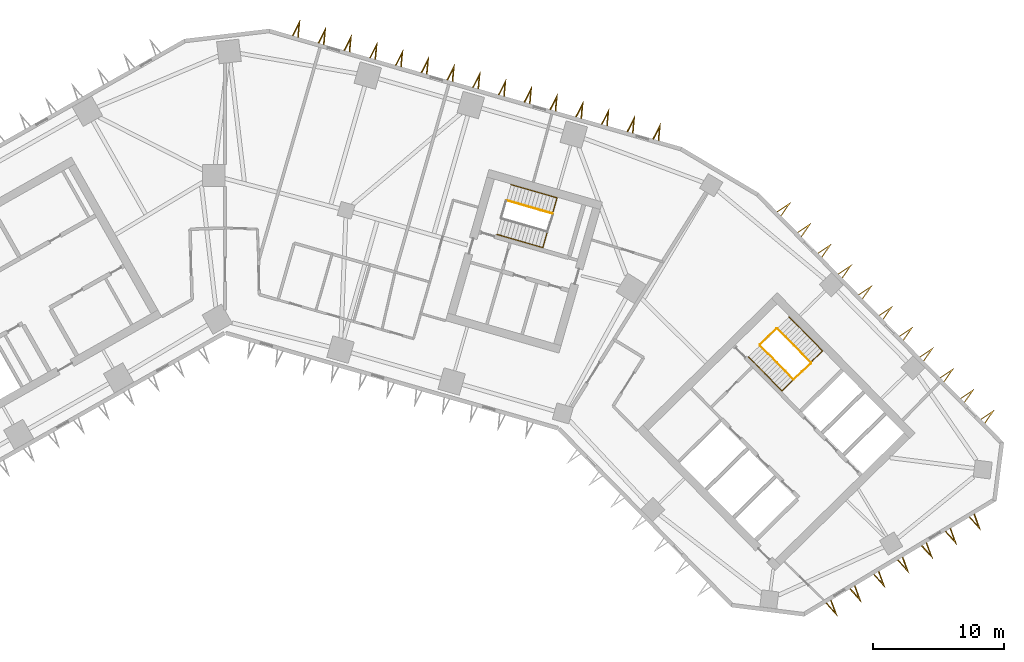
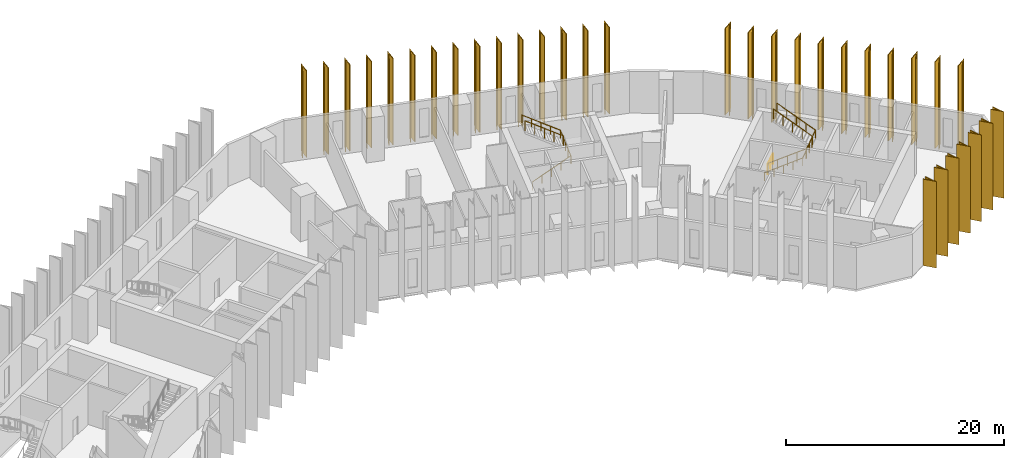
# One storey, part 11 of 11: 33 shading devices, 6 railings.
"""IFC4 building model written with IfcOpenShell, lengths in metres."""

from ifc_helpers import new_model, si_unit, direction, frame, origin, origin_2d, place, context, subcontext, project, spatial, polyline, circle, outline, extrude, material, type_object, element, save


model = new_model("IFC4")

# Units and contexts
model_context = context("Model", 3, precision=1e-05, world=origin(), true_north=direction((0.0, 1.0)))
body_context = subcontext(model_context, "Body", "Model", "MODEL_VIEW")
ifc_project = project(units=[si_unit("LENGTHUNIT", "METRE"), si_unit("AREAUNIT", "SQUARE_METRE"), si_unit("VOLUMEUNIT", "CUBIC_METRE"), si_unit("PLANEANGLEUNIT", "RADIAN"), si_unit("MASSUNIT", "GRAM", prefix="KILO")], contexts=[model_context])

# Site, building, storey
site_placement = place(None, origin())
site = spatial("IfcSite", under=ifc_project, at=site_placement, CompositionType="ELEMENT")
building_placement = place(site_placement, origin())
building = spatial("IfcBuilding", under=site, at=building_placement, Name="Binnacle Exchange Tower", CompositionType="ELEMENT")
storey_placement = place(building_placement, frame((0.0, 0.0, 76.5)))
storey = spatial("IfcBuildingStorey", under=building, at=storey_placement, Name="L15", CompositionType="ELEMENT", Elevation=76.5)

# Railings
ifc_material_1 = material(Name="Steel guard rail", Category="steel")
railing_type_1 = type_object("IfcRailingType", Name="STAIR GUARD 1100", PredefinedType="GUARDRAIL", material=ifc_material_1)
railing_1_placement = place(storey_placement, frame((40.822509765625, 47.046875, 0.178466796875)))
element("IfcRailing", 1, at=railing_1_placement, inside=storey, type_object=railing_type_1, Name="L15 STB1 stair guard 1", PredefinedType="GUARDRAIL", context=body_context, shape_type="SweptSolid", body=[
    extrude(circle(Radius=0.02392578125, at=origin_2d()), frame((0.0, 0.0, 1.076171875), z_axis=(0.590946962671, -0.60135215321, 0.537733461056), x_axis=(0.713250539553, 0.700909172309, 0.0)), (0.0, 0.0, 1.0), 4.317138671875),
    extrude(circle(Radius=0.02392578125, at=origin_2d()), frame((2.55126953125, -2.59619140625, 3.3974609375), z_axis=(0.732527851538, 0.680737061369, 0.0), x_axis=(-0.680737061369, 0.732527851538, 0.0)), (0.0, 0.0, 1.0), 1.80078125),
    extrude(circle(Radius=0.02099609375, at=origin_2d()), origin(), (0.0, 0.0, 1.0), 1.052001953125),
    extrude(circle(Radius=0.02099609375, at=origin_2d()), frame((0.6376953125, -0.64892578125, 0.580322265625)), (0.0, 0.0, 1.0), 1.052001953125),
    extrude(circle(Radius=0.02099609375, at=origin_2d()), frame((1.275634765625, -1.298095703125, 1.16064453125)), (0.0, 0.0, 1.0), 1.052001953125),
    extrude(circle(Radius=0.02099609375, at=origin_2d()), frame((1.91357421875, -1.947265625, 1.7412109375)), (0.0, 0.0, 1.0), 1.052001953125),
    extrude(circle(Radius=0.02099609375, at=origin_2d()), frame((2.55126953125, -2.59619140625, 2.321533203125)), (0.0, 0.0, 1.0), 1.052001953125),
    extrude(circle(Radius=0.02099609375, at=origin_2d()), frame((3.2109375, -1.9833984375, 2.321533203125)), (0.0, 0.0, 1.0), 1.052001953125),
    extrude(circle(Radius=0.02099609375, at=origin_2d()), frame((3.870361328125, -1.370361328125, 2.321533203125)), (0.0, 0.0, 1.0), 1.052001953125),
])
railing_2_placement = place(storey_placement, frame((44.693359375, 45.747314453125, 2.678466796875)))
element("IfcRailing", 2, at=railing_2_placement, inside=storey, type_object=railing_type_1, Name="L15 STB1 stair guard 2", PredefinedType="GUARDRAIL", context=body_context, shape_type="SweptSolid", body=[
    extrude(circle(Radius=0.02392578125, at=origin_2d()), frame((0.0, 0.0, 1.076171875), z_axis=(-0.590946962671, 0.60135215321, 0.537733461056), x_axis=(-0.713250539553, -0.700909172309, 0.0)), (0.0, 0.0, 1.0), 4.317138671875),
    extrude(circle(Radius=0.02099609375, at=origin_2d()), origin(), (0.0, 0.0, 1.0), 1.052001953125),
    extrude(circle(Radius=0.02099609375, at=origin_2d()), frame((-0.6376953125, 0.64892578125, 0.580322265625)), (0.0, 0.0, 1.0), 1.052001953125),
    extrude(circle(Radius=0.02099609375, at=origin_2d()), frame((-1.275634765625, 1.298095703125, 1.16064453125)), (0.0, 0.0, 1.0), 1.052001953125),
    extrude(circle(Radius=0.02099609375, at=origin_2d()), frame((-1.91357421875, 1.947265625, 1.7412109375)), (0.0, 0.0, 1.0), 1.052001953125),
    extrude(circle(Radius=0.02099609375, at=origin_2d()), frame((-2.55126953125, 2.59619140625, 2.321533203125)), (0.0, 0.0, 1.0), 1.052001953125),
])
railing_3_placement = place(storey_placement, frame((40.8232421875, 47.117431640625, 0.0)))
element("IfcRailing", 3, at=railing_3_placement, inside=storey, type_object=railing_type_1, Name="L15 STB1 stair guard 3", PredefinedType="GUARDRAIL", context=body_context, shape_type="SweptSolid", body=[
    extrude(circle(Radius=0.02392578125, at=origin_2d()), frame((0.0, 0.0, 1.076171875), z_axis=(0.713218950569, 0.700941316052, 0.0), x_axis=(-0.700941316052, 0.713218950569, 0.0)), (0.0, 0.0, 1.0), 1.75),
    extrude(circle(Radius=0.02099609375, at=origin_2d()), origin(), (0.0, 0.0, 1.0), 1.052001953125),
    extrude(circle(Radius=0.02099609375, at=origin_2d()), frame((0.6240234375, 0.61328125, 0.0)), (0.0, 0.0, 1.0), 1.052001953125),
    extrude(circle(Radius=0.02099609375, at=origin_2d()), frame((1.248046875, 1.2265625, 0.0)), (0.0, 0.0, 1.0), 1.052001953125),
])
railing_4_placement = place(storey_placement, frame((24.9853515625, 57.100830078125, 2.678466796875)))
element("IfcRailing", 4, at=railing_4_placement, inside=storey, type_object=railing_type_1, Name="L15 STD1 stair guard 2", PredefinedType="GUARDRAIL", context=body_context, shape_type="SweptSolid", body=[
    extrude(circle(Radius=0.02392578125, at=origin_2d()), frame((0.0, 0.0, 1.076171875), z_axis=(-0.810455892038, 0.232415135102, 0.537721537635), x_axis=(-0.275659984683, -0.961255206927, 0.0)), (0.0, 0.0, 1.0), 4.3173828125),
    extrude(circle(Radius=0.02099609375, at=origin_2d()), origin(), (0.0, 0.0, 1.0), 1.052001953125),
    extrude(circle(Radius=0.02099609375, at=origin_2d()), frame((-0.874755859375, 0.2509765625, 0.580322265625)), (0.0, 0.0, 1.0), 1.052001953125),
    extrude(circle(Radius=0.02099609375, at=origin_2d()), frame((-1.74951171875, 0.501708984375, 1.16064453125)), (0.0, 0.0, 1.0), 1.052001953125),
    extrude(circle(Radius=0.02099609375, at=origin_2d()), frame((-2.624267578125, 0.75244140625, 1.7412109375)), (0.0, 0.0, 1.0), 1.052001953125),
    extrude(circle(Radius=0.02099609375, at=origin_2d()), frame((-3.4990234375, 1.00341796875, 2.321533203125)), (0.0, 0.0, 1.0), 1.052001953125),
])
ifc_material_2 = material(Name="Steel handrail", Category="steel")
railing_type_2 = type_object("IfcRailingType", Name="STAIR HANDRAIL 900", PredefinedType="HANDRAIL", material=ifc_material_2)
railing_5_placement = place(storey_placement, frame((39.930908203125, 46.170654296875, 0.178466796875)))
element("IfcRailing", 5, at=railing_5_placement, inside=storey, type_object=railing_type_2, Name="L15 STB1 stair handrail 1", PredefinedType="HANDRAIL", context=body_context, shape_type="SweptSolid", body=[
    extrude(circle(Radius=0.02392578125, at=origin_2d()), frame((0.0, 0.0, 0.8759765625), z_axis=(0.590983762497, -0.601332057257, 0.53771549111), x_axis=(0.713217009097, 0.700943291525, 0.0)), (0.0, 0.0, 1.0), 4.3173828125),
    extrude(circle(Radius=0.02392578125, at=origin_2d()), frame((2.551513671875, -2.59619140625, 3.197265625), z_axis=(0.712654164256, 0.700316745611, 0.040993877406), x_axis=(-0.700905928746, 0.713253726978, 0.0)), (0.0, 0.0, 1.0), 4.353515625),
    extrude(circle(Radius=0.02392578125, at=origin_2d()), frame((5.654052734375, 0.45263671875, 3.3759765625), z_axis=(-0.590926866753, 0.601388251475, 0.537715174732), x_axis=(-0.713283488215, -0.700875641922, 0.0)), (0.0, 0.0, 1.0), 4.3173828125),
    extrude(circle(Radius=0.02099609375, at=origin_2d()), origin(), (0.0, 0.0, 1.0), 0.851806640625),
    extrude(circle(Radius=0.02099609375, at=origin_2d()), frame((0.637939453125, -0.64892578125, 0.580322265625)), (0.0, 0.0, 1.0), 0.851806640625),
    extrude(circle(Radius=0.02099609375, at=origin_2d()), frame((1.27587890625, -1.298095703125, 1.16064453125)), (0.0, 0.0, 1.0), 0.851806640625),
    extrude(circle(Radius=0.02099609375, at=origin_2d()), frame((1.91357421875, -1.947265625, 1.7412109375)), (0.0, 0.0, 1.0), 0.851806640625),
    extrude(circle(Radius=0.02099609375, at=origin_2d()), frame((2.551513671875, -2.59619140625, 2.321533203125)), (0.0, 0.0, 1.0), 0.851806640625),
    extrude(circle(Radius=0.02099609375, at=origin_2d()), frame((3.3271484375, -1.833984375, 2.3662109375)), (0.0, 0.0, 1.0), 0.851806640625),
    extrude(circle(Radius=0.02099609375, at=origin_2d()), frame((4.102783203125, -1.07177734375, 2.41064453125)), (0.0, 0.0, 1.0), 0.851806640625),
    extrude(circle(Radius=0.02099609375, at=origin_2d()), frame((4.87841796875, -0.3095703125, 2.455322265625)), (0.0, 0.0, 1.0), 0.851806640625),
    extrude(circle(Radius=0.02099609375, at=origin_2d()), frame((5.654052734375, 0.45263671875, 2.5)), (0.0, 0.0, 1.0), 0.851806640625),
    extrude(circle(Radius=0.02099609375, at=origin_2d()), frame((5.01611328125, 1.101806640625, 3.080322265625)), (0.0, 0.0, 1.0), 0.851806640625),
    extrude(circle(Radius=0.02099609375, at=origin_2d()), frame((4.37841796875, 1.7509765625, 3.66064453125)), (0.0, 0.0, 1.0), 0.851806640625),
    extrude(circle(Radius=0.02099609375, at=origin_2d()), frame((3.74072265625, 2.39990234375, 4.2412109375)), (0.0, 0.0, 1.0), 0.851806640625),
    extrude(circle(Radius=0.02099609375, at=origin_2d()), frame((3.102783203125, 3.049072265625, 4.821533203125)), (0.0, 0.0, 1.0), 0.851806640625),
])
railing_6_placement = place(storey_placement, frame((20.7421875, 55.5087890625, 0.178466796875)))
element("IfcRailing", 6, at=railing_6_placement, inside=storey, type_object=railing_type_2, Name="L15 STD1 stair handrail 1", PredefinedType="HANDRAIL", context=body_context, shape_type="SweptSolid", body=[
    extrude(circle(Radius=0.02392578125, at=origin_2d()), frame((0.0, 0.0, 0.8759765625), z_axis=(0.810436485383, -0.2324257871, 0.537746182368), x_axis=(0.27567775811, 0.961250109848, 0.0)), (0.0, 0.0, 1.0), 4.317138671875),
    extrude(circle(Radius=0.02392578125, at=origin_2d()), frame((3.498779296875, -1.00341796875, 3.197265625), z_axis=(0.275370676617, 0.960278056821, 0.045133624351), x_axis=(-0.961257617982, 0.275651576943, 0.0)), (0.0, 0.0, 1.0), 3.9541015625),
    extrude(circle(Radius=0.02392578125, at=origin_2d()), frame((4.587646484375, 2.793701171875, 3.3759765625), z_axis=(-0.810466542589, 0.232361639932, 0.537728604067), x_axis=(-0.275598008994, -0.961272977587, 0.0)), (0.0, 0.0, 1.0), 4.3173828125),
    extrude(circle(Radius=0.02099609375, at=origin_2d()), origin(), (0.0, 0.0, 1.0), 0.851806640625),
    extrude(circle(Radius=0.02099609375, at=origin_2d()), frame((0.874755859375, -0.2509765625, 0.580322265625)), (0.0, 0.0, 1.0), 0.851806640625),
    extrude(circle(Radius=0.02099609375, at=origin_2d()), frame((1.74951171875, -0.501708984375, 1.16064453125)), (0.0, 0.0, 1.0), 0.851806640625),
    extrude(circle(Radius=0.02099609375, at=origin_2d()), frame((2.6240234375, -0.75244140625, 1.7412109375)), (0.0, 0.0, 1.0), 0.851806640625),
    extrude(circle(Radius=0.02099609375, at=origin_2d()), frame((3.498779296875, -1.00341796875, 2.321533203125)), (0.0, 0.0, 1.0), 0.851806640625),
    extrude(circle(Radius=0.02099609375, at=origin_2d()), frame((3.77099609375, -0.05419921875, 2.3662109375)), (0.0, 0.0, 1.0), 0.851806640625),
    extrude(circle(Radius=0.02099609375, at=origin_2d()), frame((4.043212890625, 0.89501953125, 2.41064453125)), (0.0, 0.0, 1.0), 0.851806640625),
    extrude(circle(Radius=0.02099609375, at=origin_2d()), frame((4.3154296875, 1.844482421875, 2.455322265625)), (0.0, 0.0, 1.0), 0.851806640625),
    extrude(circle(Radius=0.02099609375, at=origin_2d()), frame((4.587646484375, 2.793701171875, 2.5)), (0.0, 0.0, 1.0), 0.851806640625),
    extrude(circle(Radius=0.02099609375, at=origin_2d()), frame((3.712890625, 3.04443359375, 3.080322265625)), (0.0, 0.0, 1.0), 0.851806640625),
    extrude(circle(Radius=0.02099609375, at=origin_2d()), frame((2.838134765625, 3.29541015625, 3.66064453125)), (0.0, 0.0, 1.0), 0.851806640625),
    extrude(circle(Radius=0.02099609375, at=origin_2d()), frame((1.96337890625, 3.546142578125, 4.2412109375)), (0.0, 0.0, 1.0), 0.851806640625),
    extrude(circle(Radius=0.02099609375, at=origin_2d()), frame((1.088623046875, 3.796875, 4.821533203125)), (0.0, 0.0, 1.0), 0.851806640625),
])

# Shading devices
ifc_material_3 = material(Name="Bronze aluminium cladding", Category="aluminium")
shading_device_type = type_object("IfcShadingDeviceType", Name="V FIN 1300 DEEP x 9680 HIGH", PredefinedType="USERDEFINED", material=ifc_material_3)
shading_device_1_placement = place(storey_placement, origin())
element("IfcShadingDevice", 7, at=shading_device_1_placement, inside=storey, type_object=shading_device_type, Name="V fin FN-F01-01 L15", ObjectType="FIN", PredefinedType="USERDEFINED", context=body_context, shape_type="SweptSolid", body=[
    extrude(outline(polyline([(33.107421875, 62.66259765625), (33.225341796875, 63.981201171875), (32.626708984375, 62.800537109375), (32.705078125, 62.778076171875), (33.108642578125, 63.573974609375), (33.029052734375, 62.68505859375), (33.107421875, 62.66259765625)])), origin(), (0.0, 0.0, 1.0), 9.679931640625),
])
shading_device_2_placement = place(storey_placement, origin())
element("IfcShadingDevice", 8, at=shading_device_2_placement, inside=storey, type_object=shading_device_type, Name="V fin FN-F01-02 L15", ObjectType="FIN", PredefinedType="USERDEFINED", context=body_context, shape_type="SweptSolid", body=[
    extrude(outline(polyline([(31.143310546875, 63.225830078125), (31.26123046875, 64.54443359375), (30.66259765625, 63.36376953125), (30.740966796875, 63.34130859375), (31.14453125, 64.13720703125), (31.06494140625, 63.248291015625), (31.143310546875, 63.225830078125)])), origin(), (0.0, 0.0, 1.0), 9.679931640625),
])
shading_device_3_placement = place(storey_placement, origin())
element("IfcShadingDevice", 9, at=shading_device_3_placement, inside=storey, type_object=shading_device_type, Name="V fin FN-F01-03 L15", ObjectType="FIN", PredefinedType="USERDEFINED", context=body_context, shape_type="SweptSolid", body=[
    extrude(outline(polyline([(29.17919921875, 63.7890625), (29.297119140625, 65.107666015625), (28.698486328125, 63.927001953125), (28.77685546875, 63.904541015625), (29.180419921875, 64.700439453125), (29.100830078125, 63.8115234375), (29.17919921875, 63.7890625)])), origin(), (0.0, 0.0, 1.0), 9.679931640625),
])
shading_device_4_placement = place(storey_placement, origin())
element("IfcShadingDevice", 10, at=shading_device_4_placement, inside=storey, type_object=shading_device_type, Name="V fin FN-F01-04 L15", ObjectType="FIN", PredefinedType="USERDEFINED", context=body_context, shape_type="SweptSolid", body=[
    extrude(outline(polyline([(27.215087890625, 64.352294921875), (27.3330078125, 65.6708984375), (26.734619140625, 64.489990234375), (26.812744140625, 64.4677734375), (27.21630859375, 65.263671875), (27.13671875, 64.374755859375), (27.215087890625, 64.352294921875)])), origin(), (0.0, 0.0, 1.0), 9.679931640625),
])
shading_device_5_placement = place(storey_placement, origin())
element("IfcShadingDevice", 11, at=shading_device_5_placement, inside=storey, type_object=shading_device_type, Name="V fin FN-F01-05 L15", ObjectType="FIN", PredefinedType="USERDEFINED", context=body_context, shape_type="SweptSolid", body=[
    extrude(outline(polyline([(25.2509765625, 64.91552734375), (25.368896484375, 66.23388671875), (24.7705078125, 65.05322265625), (24.8486328125, 65.031005859375), (25.252197265625, 65.826904296875), (25.172607421875, 64.93798828125), (25.2509765625, 64.91552734375)])), origin(), (0.0, 0.0, 1.0), 9.679931640625),
])
shading_device_6_placement = place(storey_placement, origin())
element("IfcShadingDevice", 12, at=shading_device_6_placement, inside=storey, type_object=shading_device_type, Name="V fin FN-F01-06 L15", ObjectType="FIN", PredefinedType="USERDEFINED", context=body_context, shape_type="SweptSolid", body=[
    extrude(outline(polyline([(23.287109375, 65.478515625), (23.405029296875, 66.797119140625), (22.806396484375, 65.616455078125), (22.884765625, 65.593994140625), (23.288330078125, 66.389892578125), (23.208740234375, 65.5009765625), (23.287109375, 65.478515625)])), origin(), (0.0, 0.0, 1.0), 9.679931640625),
])
shading_device_7_placement = place(storey_placement, origin())
element("IfcShadingDevice", 13, at=shading_device_7_placement, inside=storey, type_object=shading_device_type, Name="V fin FN-F01-07 L15", ObjectType="FIN", PredefinedType="USERDEFINED", context=body_context, shape_type="SweptSolid", body=[
    extrude(outline(polyline([(21.32275390625, 66.041748046875), (21.44091796875, 67.3603515625), (20.84228515625, 66.1796875), (20.92041015625, 66.1572265625), (21.32421875, 66.953125), (21.244384765625, 66.064208984375), (21.32275390625, 66.041748046875)])), origin(), (0.0, 0.0, 1.0), 9.679931640625),
])
shading_device_8_placement = place(storey_placement, origin())
element("IfcShadingDevice", 14, at=shading_device_8_placement, inside=storey, type_object=shading_device_type, Name="V fin FN-F01-08 L15", ObjectType="FIN", PredefinedType="USERDEFINED", context=body_context, shape_type="SweptSolid", body=[
    extrude(outline(polyline([(19.35888671875, 66.60498046875), (19.476806640625, 67.923583984375), (18.878173828125, 66.742919921875), (18.95654296875, 66.720458984375), (19.360107421875, 67.516357421875), (19.280517578125, 66.62744140625), (19.35888671875, 66.60498046875)])), origin(), (0.0, 0.0, 1.0), 9.679931640625),
])
shading_device_9_placement = place(storey_placement, origin())
element("IfcShadingDevice", 15, at=shading_device_9_placement, inside=storey, type_object=shading_device_type, Name="V fin FN-F01-09 L15", ObjectType="FIN", PredefinedType="USERDEFINED", context=body_context, shape_type="SweptSolid", body=[
    extrude(outline(polyline([(17.394775390625, 67.168212890625), (17.5126953125, 68.48681640625), (16.9140625, 67.305908203125), (16.992431640625, 67.28369140625), (17.39599609375, 68.07958984375), (17.31640625, 67.190673828125), (17.394775390625, 67.168212890625)])), origin(), (0.0, 0.0, 1.0), 9.679931640625),
])
shading_device_10_placement = place(storey_placement, origin())
element("IfcShadingDevice", 16, at=shading_device_10_placement, inside=storey, type_object=shading_device_type, Name="V fin FN-F01-10 L15", ObjectType="FIN", PredefinedType="USERDEFINED", context=body_context, shape_type="SweptSolid", body=[
    extrude(outline(polyline([(15.4306640625, 67.7314453125), (15.548583984375, 69.0498046875), (14.949951171875, 67.869140625), (15.0283203125, 67.8466796875), (15.431884765625, 68.642578125), (15.352294921875, 67.75390625), (15.4306640625, 67.7314453125)])), origin(), (0.0, 0.0, 1.0), 9.679931640625),
])
shading_device_11_placement = place(storey_placement, origin())
element("IfcShadingDevice", 17, at=shading_device_11_placement, inside=storey, type_object=shading_device_type, Name="V fin FN-F01-11 L15", ObjectType="FIN", PredefinedType="USERDEFINED", context=body_context, shape_type="SweptSolid", body=[
    extrude(outline(polyline([(13.466552734375, 68.294677734375), (13.58447265625, 69.613037109375), (12.98583984375, 68.432373046875), (13.064208984375, 68.409912109375), (13.4677734375, 69.205810546875), (13.38818359375, 68.31689453125), (13.466552734375, 68.294677734375)])), origin(), (0.0, 0.0, 1.0), 9.679931640625),
])
shading_device_12_placement = place(storey_placement, origin())
element("IfcShadingDevice", 18, at=shading_device_12_placement, inside=storey, type_object=shading_device_type, Name="V fin FN-F01-12 L15", ObjectType="FIN", PredefinedType="USERDEFINED", context=body_context, shape_type="SweptSolid", body=[
    extrude(outline(polyline([(11.50244140625, 68.85791015625), (11.620361328125, 70.17626953125), (11.021728515625, 68.99560546875), (11.10009765625, 68.97314453125), (11.503662109375, 69.76904296875), (11.424072265625, 68.880126953125), (11.50244140625, 68.85791015625)])), origin(), (0.0, 0.0, 1.0), 9.679931640625),
])
shading_device_13_placement = place(storey_placement, origin())
element("IfcShadingDevice", 19, at=shading_device_13_placement, inside=storey, type_object=shading_device_type, Name="V fin FN-F01-13 L15", ObjectType="FIN", PredefinedType="USERDEFINED", context=body_context, shape_type="SweptSolid", body=[
    extrude(outline(polyline([(9.538330078125, 69.4208984375), (9.65625, 70.739501953125), (9.0576171875, 69.558837890625), (9.135986328125, 69.536376953125), (9.53955078125, 70.332275390625), (9.4599609375, 69.443359375), (9.538330078125, 69.4208984375)])), origin(), (0.0, 0.0, 1.0), 9.679931640625),
])
shading_device_14_placement = place(storey_placement, origin())
element("IfcShadingDevice", 20, at=shading_device_14_placement, inside=storey, type_object=shading_device_type, Name="V fin FN-F01-14 L15", ObjectType="FIN", PredefinedType="USERDEFINED", context=body_context, shape_type="SweptSolid", body=[
    extrude(outline(polyline([(7.57421875, 69.984130859375), (7.6923828125, 71.302734375), (7.09375, 70.1220703125), (7.172119140625, 70.099609375), (7.57568359375, 70.8955078125), (7.49609375, 70.006591796875), (7.57421875, 69.984130859375)])), origin(), (0.0, 0.0, 1.0), 9.679931640625),
])
shading_device_15_placement = place(storey_placement, origin())
element("IfcShadingDevice", 21, at=shading_device_15_placement, inside=storey, type_object=shading_device_type, Name="V fin FN-F01-15 L15", ObjectType="FIN", PredefinedType="USERDEFINED", context=body_context, shape_type="SweptSolid", body=[
    extrude(outline(polyline([(5.610107421875, 70.54736328125), (5.72802734375, 71.865966796875), (5.12939453125, 70.685302734375), (5.207763671875, 70.662841796875), (5.611328125, 71.458740234375), (5.53173828125, 70.56982421875), (5.610107421875, 70.54736328125)])), origin(), (0.0, 0.0, 1.0), 9.679931640625),
])
shading_device_16_placement = place(storey_placement, origin())
element("IfcShadingDevice", 22, at=shading_device_16_placement, inside=storey, type_object=shading_device_type, Name="V fin FN-F11-01 L15", ObjectType="FIN", PredefinedType="USERDEFINED", context=body_context, shape_type="SweptSolid", body=[
    extrude(outline(polyline([(45.82861328125, 27.361572265625), (46.71240234375, 26.376220703125), (46.257080078125, 27.619140625), (46.187255859375, 27.5771484375), (46.494140625, 26.7392578125), (45.898193359375, 27.403564453125), (45.82861328125, 27.361572265625)])), origin(), (0.0, 0.0, 1.0), 9.679931640625),
])
shading_device_17_placement = place(storey_placement, origin())
element("IfcShadingDevice", 23, at=shading_device_17_placement, inside=storey, type_object=shading_device_type, Name="V fin FN-F11-02 L15", ObjectType="FIN", PredefinedType="USERDEFINED", context=body_context, shape_type="SweptSolid", body=[
    extrude(outline(polyline([(47.64990234375, 28.4560546875), (48.53369140625, 27.470458984375), (48.07861328125, 28.713623046875), (48.0087890625, 28.671630859375), (48.315673828125, 27.83349609375), (47.7197265625, 28.498046875), (47.64990234375, 28.4560546875)])), origin(), (0.0, 0.0, 1.0), 9.679931640625),
])
shading_device_18_placement = place(storey_placement, origin())
element("IfcShadingDevice", 24, at=shading_device_18_placement, inside=storey, type_object=shading_device_type, Name="V fin FN-F11-03 L15", ObjectType="FIN", PredefinedType="USERDEFINED", context=body_context, shape_type="SweptSolid", body=[
    extrude(outline(polyline([(49.471435546875, 29.550537109375), (50.355224609375, 28.56494140625), (49.900146484375, 29.80810546875), (49.830322265625, 29.76611328125), (50.13720703125, 28.927978515625), (49.541259765625, 29.592529296875), (49.471435546875, 29.550537109375)])), origin(), (0.0, 0.0, 1.0), 9.679931640625),
])
shading_device_19_placement = place(storey_placement, origin())
element("IfcShadingDevice", 25, at=shading_device_19_placement, inside=storey, type_object=shading_device_type, Name="V fin FN-F11-04 L15", ObjectType="FIN", PredefinedType="USERDEFINED", context=body_context, shape_type="SweptSolid", body=[
    extrude(outline(polyline([(51.29296875, 30.64501953125), (52.1767578125, 29.659423828125), (51.7216796875, 30.902587890625), (51.65185546875, 30.860595703125), (51.958740234375, 30.0224609375), (51.36279296875, 30.68701171875), (51.29296875, 30.64501953125)])), origin(), (0.0, 0.0, 1.0), 9.679931640625),
])
shading_device_20_placement = place(storey_placement, origin())
element("IfcShadingDevice", 26, at=shading_device_20_placement, inside=storey, type_object=shading_device_type, Name="V fin FN-F11-05 L15", ObjectType="FIN", PredefinedType="USERDEFINED", context=body_context, shape_type="SweptSolid", body=[
    extrude(outline(polyline([(53.114501953125, 31.739501953125), (53.998291015625, 30.75390625), (53.543212890625, 31.9970703125), (53.473388671875, 31.955078125), (53.7802734375, 31.116943359375), (53.184326171875, 31.781494140625), (53.114501953125, 31.739501953125)])), origin(), (0.0, 0.0, 1.0), 9.679931640625),
])
shading_device_21_placement = place(storey_placement, origin())
element("IfcShadingDevice", 27, at=shading_device_21_placement, inside=storey, type_object=shading_device_type, Name="V fin FN-F11-06 L15", ObjectType="FIN", PredefinedType="USERDEFINED", context=body_context, shape_type="SweptSolid", body=[
    extrude(outline(polyline([(54.935791015625, 32.833984375), (55.819580078125, 31.848388671875), (55.364501953125, 33.091552734375), (55.294677734375, 33.049560546875), (55.6015625, 32.21142578125), (55.005615234375, 32.8759765625), (54.935791015625, 32.833984375)])), origin(), (0.0, 0.0, 1.0), 9.679931640625),
])
shading_device_22_placement = place(storey_placement, origin())
element("IfcShadingDevice", 28, at=shading_device_22_placement, inside=storey, type_object=shading_device_type, Name="V fin FN-F11-07 L15", ObjectType="FIN", PredefinedType="USERDEFINED", context=body_context, shape_type="SweptSolid", body=[
    extrude(outline(polyline([(56.75732421875, 33.92822265625), (57.64111328125, 32.94287109375), (57.18603515625, 34.185791015625), (57.1162109375, 34.143798828125), (57.423095703125, 33.305908203125), (56.8271484375, 33.97021484375), (56.75732421875, 33.92822265625)])), origin(), (0.0, 0.0, 1.0), 9.679931640625),
])
shading_device_23_placement = place(storey_placement, origin())
element("IfcShadingDevice", 29, at=shading_device_23_placement, inside=storey, type_object=shading_device_type, Name="V fin FN-F13-01 L15", ObjectType="FIN", PredefinedType="USERDEFINED", context=body_context, shape_type="SweptSolid", body=[
    extrude(outline(polyline([(57.990478515625, 41.087890625), (58.742431640625, 42.177490234375), (57.64013671875, 41.444580078125), (57.697265625, 41.386474609375), (58.4404296875, 41.880615234375), (57.933349609375, 41.14599609375), (57.990478515625, 41.087890625)])), origin(), (0.0, 0.0, 1.0), 9.679931640625),
])
shading_device_24_placement = place(storey_placement, origin())
element("IfcShadingDevice", 30, at=shading_device_24_placement, inside=storey, type_object=shading_device_type, Name="V fin FN-F13-02 L15", ObjectType="FIN", PredefinedType="USERDEFINED", context=body_context, shape_type="SweptSolid", body=[
    extrude(outline(polyline([(56.435791015625, 42.669921875), (57.18798828125, 43.759521484375), (56.08544921875, 43.026611328125), (56.142578125, 42.968505859375), (56.8857421875, 43.46240234375), (56.37890625, 42.72802734375), (56.435791015625, 42.669921875)])), origin(), (0.0, 0.0, 1.0), 9.679931640625),
])
shading_device_25_placement = place(storey_placement, origin())
element("IfcShadingDevice", 31, at=shading_device_25_placement, inside=storey, type_object=shading_device_type, Name="V fin FN-F13-03 L15", ObjectType="FIN", PredefinedType="USERDEFINED", context=body_context, shape_type="SweptSolid", body=[
    extrude(outline(polyline([(54.881103515625, 44.251953125), (55.63330078125, 45.34130859375), (54.53076171875, 44.6083984375), (54.587890625, 44.55029296875), (55.3310546875, 45.04443359375), (54.82421875, 44.31005859375), (54.881103515625, 44.251953125)])), origin(), (0.0, 0.0, 1.0), 9.679931640625),
])
shading_device_26_placement = place(storey_placement, origin())
element("IfcShadingDevice", 32, at=shading_device_26_placement, inside=storey, type_object=shading_device_type, Name="V fin FN-F13-04 L15", ObjectType="FIN", PredefinedType="USERDEFINED", context=body_context, shape_type="SweptSolid", body=[
    extrude(outline(polyline([(53.32666015625, 45.833984375), (54.07861328125, 46.92333984375), (52.976318359375, 46.1904296875), (53.033203125, 46.13232421875), (53.776611328125, 46.62646484375), (53.26953125, 45.89208984375), (53.32666015625, 45.833984375)])), origin(), (0.0, 0.0, 1.0), 9.679931640625),
])
shading_device_27_placement = place(storey_placement, origin())
element("IfcShadingDevice", 33, at=shading_device_27_placement, inside=storey, type_object=shading_device_type, Name="V fin FN-F13-05 L15", ObjectType="FIN", PredefinedType="USERDEFINED", context=body_context, shape_type="SweptSolid", body=[
    extrude(outline(polyline([(51.77197265625, 47.416015625), (52.52392578125, 48.50537109375), (51.421630859375, 47.7724609375), (51.478759765625, 47.71435546875), (52.221923828125, 48.20849609375), (51.71484375, 47.47412109375), (51.77197265625, 47.416015625)])), origin(), (0.0, 0.0, 1.0), 9.679931640625),
])
shading_device_28_placement = place(storey_placement, origin())
element("IfcShadingDevice", 34, at=shading_device_28_placement, inside=storey, type_object=shading_device_type, Name="V fin FN-F13-06 L15", ObjectType="FIN", PredefinedType="USERDEFINED", context=body_context, shape_type="SweptSolid", body=[
    extrude(outline(polyline([(50.21728515625, 48.997802734375), (50.969482421875, 50.08740234375), (49.866943359375, 49.3544921875), (49.924072265625, 49.29638671875), (50.667236328125, 49.79052734375), (50.160400390625, 49.055908203125), (50.21728515625, 48.997802734375)])), origin(), (0.0, 0.0, 1.0), 9.679931640625),
])
shading_device_29_placement = place(storey_placement, origin())
element("IfcShadingDevice", 35, at=shading_device_29_placement, inside=storey, type_object=shading_device_type, Name="V fin FN-F13-07 L15", ObjectType="FIN", PredefinedType="USERDEFINED", context=body_context, shape_type="SweptSolid", body=[
    extrude(outline(polyline([(48.66259765625, 50.579833984375), (49.414794921875, 51.66943359375), (48.312255859375, 50.9365234375), (48.369384765625, 50.87841796875), (49.112548828125, 51.37255859375), (48.605712890625, 50.637939453125), (48.66259765625, 50.579833984375)])), origin(), (0.0, 0.0, 1.0), 9.679931640625),
])
shading_device_30_placement = place(storey_placement, origin())
element("IfcShadingDevice", 36, at=shading_device_30_placement, inside=storey, type_object=shading_device_type, Name="V fin FN-F13-08 L15", ObjectType="FIN", PredefinedType="USERDEFINED", context=body_context, shape_type="SweptSolid", body=[
    extrude(outline(polyline([(47.108154296875, 52.161865234375), (47.860107421875, 53.25146484375), (46.7578125, 52.5185546875), (46.814697265625, 52.46044921875), (47.55810546875, 52.95458984375), (47.051025390625, 52.219970703125), (47.108154296875, 52.161865234375)])), origin(), (0.0, 0.0, 1.0), 9.679931640625),
])
shading_device_31_placement = place(storey_placement, origin())
element("IfcShadingDevice", 37, at=shading_device_31_placement, inside=storey, type_object=shading_device_type, Name="V fin FN-F13-09 L15", ObjectType="FIN", PredefinedType="USERDEFINED", context=body_context, shape_type="SweptSolid", body=[
    extrude(outline(polyline([(45.553466796875, 53.743896484375), (46.305419921875, 54.83349609375), (45.203125, 54.1005859375), (45.26025390625, 54.04248046875), (46.00341796875, 54.53662109375), (45.496337890625, 53.802001953125), (45.553466796875, 53.743896484375)])), origin(), (0.0, 0.0, 1.0), 9.679931640625),
])
shading_device_32_placement = place(storey_placement, origin())
element("IfcShadingDevice", 38, at=shading_device_32_placement, inside=storey, type_object=shading_device_type, Name="V fin FN-F13-10 L15", ObjectType="FIN", PredefinedType="USERDEFINED", context=body_context, shape_type="SweptSolid", body=[
    extrude(outline(polyline([(43.998779296875, 55.325927734375), (44.7509765625, 56.415283203125), (43.6484375, 55.6826171875), (43.70556640625, 55.62451171875), (44.44873046875, 56.118408203125), (43.94189453125, 55.384033203125), (43.998779296875, 55.325927734375)])), origin(), (0.0, 0.0, 1.0), 9.679931640625),
])
shading_device_33_placement = place(storey_placement, origin())
element("IfcShadingDevice", 39, at=shading_device_33_placement, inside=storey, type_object=shading_device_type, Name="V fin FN-F13-11 L15", ObjectType="FIN", PredefinedType="USERDEFINED", context=body_context, shape_type="SweptSolid", body=[
    extrude(outline(polyline([(42.444091796875, 56.907958984375), (43.1962890625, 57.997314453125), (42.09375, 57.264404296875), (42.15087890625, 57.206298828125), (42.89404296875, 57.700439453125), (42.38720703125, 56.966064453125), (42.444091796875, 56.907958984375)])), origin(), (0.0, 0.0, 1.0), 9.679931640625),
])

save(model, "model.ifc")
